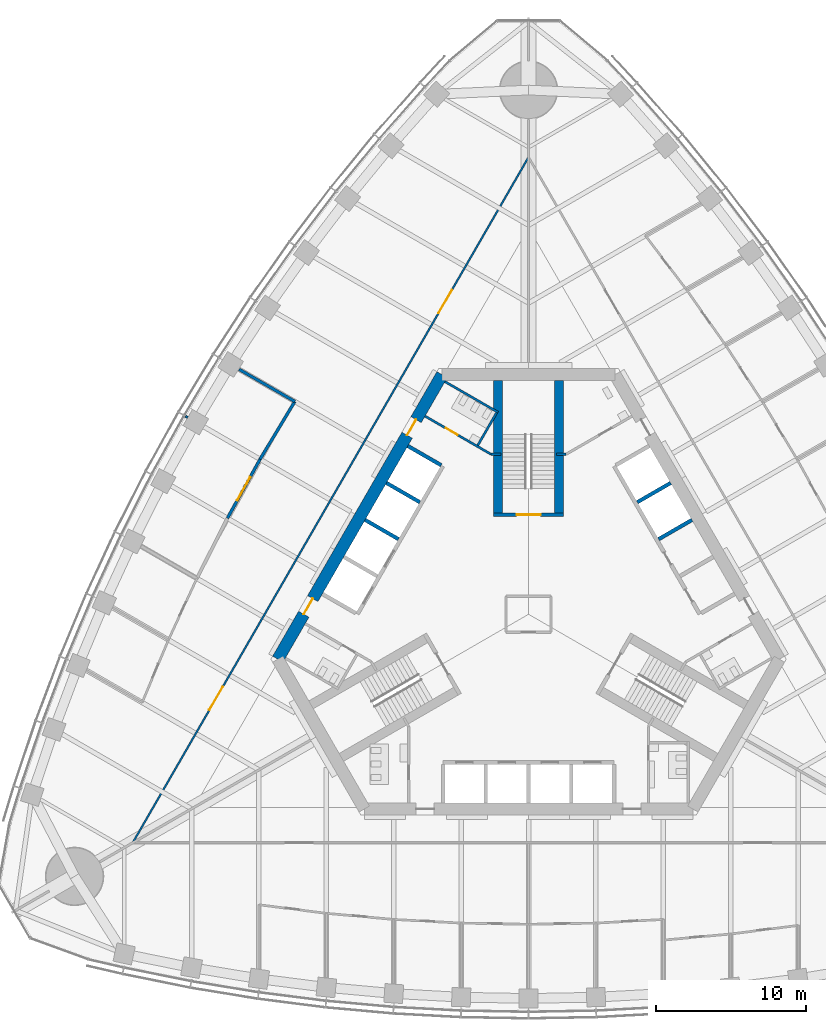
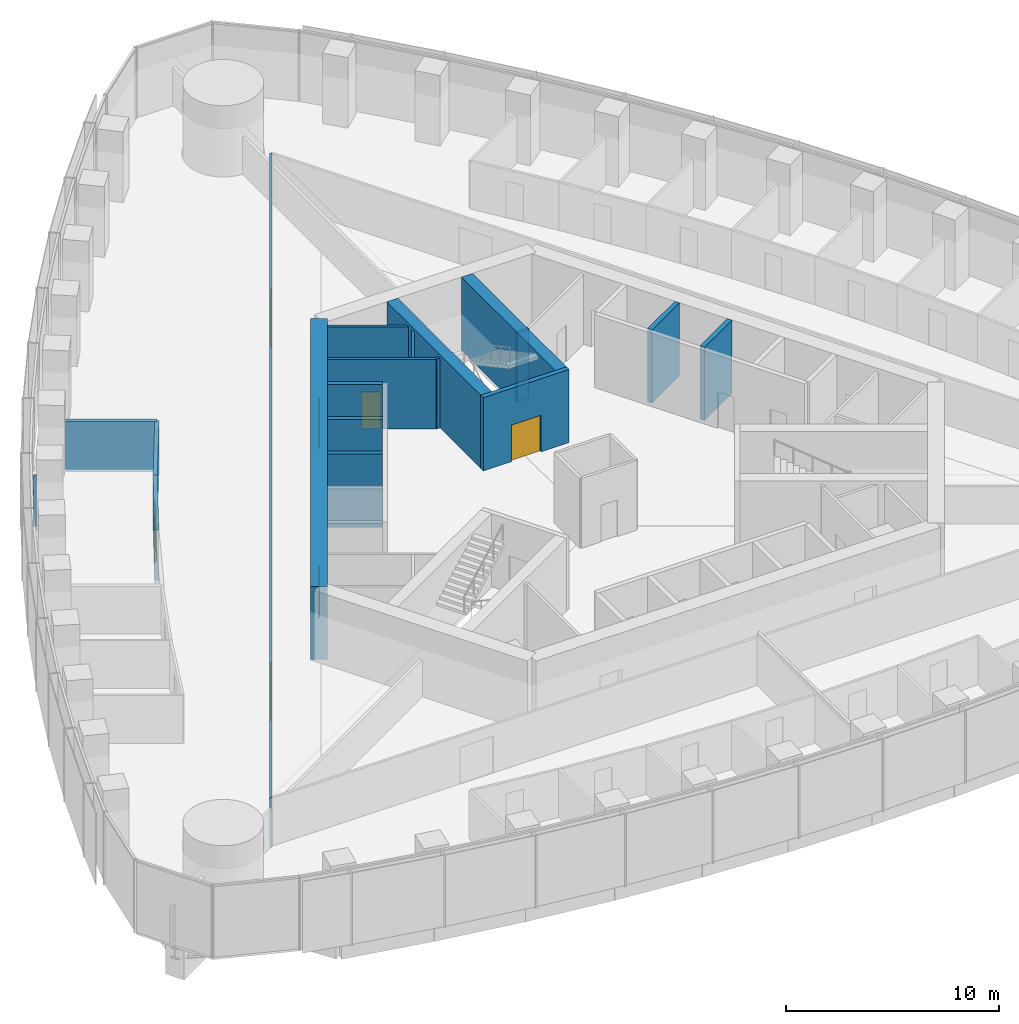
# One storey, part 14 of 21: 19 walls, 7 doors, 7 openings.
"""IFC4 building model written with IfcOpenShell, lengths in metres."""

from ifc_helpers import new_model, si_unit, direction, frame, frame_2d, origin, place, context, subcontext, project, spatial, rectangle, extrude, material, layer, layer_set, type_object, element, fill, save


model = new_model("IFC4")

# Units and contexts
model_context = context("Model", 3, precision=1e-05, world=origin(), true_north=direction((0.0, 1.0)))
body_context = subcontext(model_context, "Body", "Model", "MODEL_VIEW")
ifc_project = project(units=[si_unit("LENGTHUNIT", "METRE"), si_unit("AREAUNIT", "SQUARE_METRE"), si_unit("VOLUMEUNIT", "CUBIC_METRE"), si_unit("PLANEANGLEUNIT", "RADIAN"), si_unit("MASSUNIT", "GRAM", prefix="KILO")], contexts=[model_context])

# Site, building, storey
site_placement = place(None, origin())
site = spatial("IfcSite", under=ifc_project, at=site_placement, CompositionType="ELEMENT")
building_placement = place(site_placement, origin())
building = spatial("IfcBuilding", under=site, at=building_placement, Name="Trefoil Bronze Tower", CompositionType="ELEMENT")
storey_placement = place(building_placement, frame((0.0, 0.0, 149.300048828125)))
storey = spatial("IfcBuildingStorey", under=building, at=storey_placement, Name="L34", CompositionType="ELEMENT", Elevation=149.300048828125)

# Wall, opening, door
ifc_material_1 = material(Name="Gypsum board on steel studs", Category="steel")
ifc_layer_1 = layer(ifc_material_1, 0.199951171875)
ifc_layer_set_1 = layer_set([ifc_layer_1], Name="Acoustic partition 200")
wall_type_1 = type_object("IfcWallType", Name="Acoustic partition 200", PredefinedType="PARTITIONING", material=ifc_layer_set_1)
wall_1_placement = place(storey_placement, frame((-17.926513671875, 10.349853515625, 0.0), z_axis=(0.0, 0.0, 1.0), x_axis=(-0.484292898211, -0.874905931368, 0.0)))
wall_1 = element("IfcWall", 1, at=wall_1_placement, inside=storey, type_object=wall_type_1, Name="Partition F3 L34", PredefinedType="PARTITIONING", context=body_context, shape_type="SweptSolid", body=[
    extrude(rectangle(XDim=4.500732421875, YDim=0.199951171875, at=frame_2d((2.25048828125, 0.0))), origin(), (0.0, 0.0, 1.0), 2.89990234375),
])
opening_1_placement = place(wall_1_placement, frame((1.35009765625, 0.0, 0.14990234375)))
opening_1 = element("IfcOpeningElement", 2, at=opening_1_placement, cuts=wall_1, Name="Opening D10", PredefinedType="OPENING", context=body_context, shape_type="SweptSolid", body=[
    extrude(rectangle(XDim=1.800048828125, YDim=2.10009765625, at=frame_2d((0.89990234375, 1.050048828125))), frame((0.0, 0.10986328125, 0.0), z_axis=(0.0, -1.0, 0.0), x_axis=(1.0, 0.0, 0.0)), (0.0, 0.0, 1.0), 0.219970703125),
])
ifc_material_2 = material(Name="Timber door", Category="wood")
door_type_1 = type_object("IfcDoorType", Name="Double door 1800", OperationType="DOUBLE_DOOR_SINGLE_SWING", PredefinedType="DOOR", material=ifc_material_2)
door_1_placement = place(opening_1_placement, origin())
door_1 = element("IfcDoor", 3, at=door_1_placement, inside=storey, type_object=door_type_1, Name="Training room door F3 L34", OperationType="DOUBLE_DOOR_SINGLE_SWING", OverallHeight=2.10009765625, OverallWidth=1.800048828125, PredefinedType="DOOR", context=body_context, shape_type="SweptSolid", body=[
    extrude(rectangle(XDim=1.800048828125, YDim=2.10009765625, at=frame_2d((0.89990234375, 1.050048828125))), frame((0.0, 0.02490234375, 0.0), z_axis=(0.0, -1.0, 0.0), x_axis=(1.0, 0.0, 0.0)), (0.0, 0.0, 1.0), 0.050048828125),
])
fill(opening_1, door_1)

# Walls
wall_2_placement = place(storey_placement, frame((-15.606201171875, 14.206298828125, 0.0), z_axis=(0.0, 0.0, 1.0), x_axis=(-0.515548366618, -0.856860479703, 0.0)))
element("IfcWall", 4, at=wall_2_placement, inside=storey, type_object=wall_type_1, Name="Partition F3 L34", PredefinedType="PARTITIONING", context=body_context, shape_type="SweptSolid", body=[
    extrude(rectangle(XDim=4.500732421875, YDim=0.199951171875, at=frame_2d((2.25048828125, 0.0))), origin(), (0.0, 0.0, 1.0), 2.89990234375),
])
wall_3_placement = place(storey_placement, frame((-15.606201171875, 14.206298828125, 0.0), z_axis=(0.0, 0.0, 1.0), x_axis=(-0.866005690956, 0.500034142066, 0.0)))
element("IfcWall", 5, at=wall_3_placement, inside=storey, type_object=wall_type_1, Name="Partition F3 L34", PredefinedType="PARTITIONING", context=body_context, shape_type="SweptSolid", body=[
    extrude(rectangle(XDim=4.294189453125, YDim=0.199951171875, at=frame_2d((2.14697265625, 0.0))), origin(), (0.0, 0.0, 1.0), 2.89990234375),
])

# Wall, openings, doors
ifc_material_3 = material(Name="Concrete B80", Category="concrete")
ifc_layer_2 = layer(ifc_material_3, 0.800048828125)
ifc_layer_set_2 = layer_set([ifc_layer_2], Name="Core wall 800")
wall_type_2 = type_object("IfcWallType", Name="Core wall 800", PredefinedType="SHEAR", material=ifc_layer_set_2)
wall_4_placement = place(storey_placement, frame((-5.7734375, 16.0, 0.0), z_axis=(0.0, 0.0, 1.0), x_axis=(-0.500002442456, -0.866023993627, 0.0)))
wall_4 = element("IfcWall", 6, at=wall_4_placement, inside=storey, type_object=wall_type_2, Name="Core long wall 3 L34", PredefinedType="SHEAR", context=body_context, shape_type="SweptSolid", body=[
    extrude(rectangle(XDim=21.939453125, YDim=0.800048828125, at=frame_2d((10.9697265625, 0.0))), origin(), (0.0, 0.0, 1.0), 4.199951171875),
])
opening_2_placement = place(wall_4_placement, frame((17.269775390625, 0.0, 0.0)))
opening_2 = element("IfcOpeningElement", 7, at=opening_2_placement, cuts=wall_4, Name="Opening D2", PredefinedType="OPENING", context=body_context, shape_type="SweptSolid", body=[
    extrude(rectangle(XDim=1.199951171875, YDim=2.10009765625, at=frame_2d((0.60009765625, 1.050048828125))), frame((0.0, 0.409912109375, 0.0), z_axis=(0.0, -1.0, 0.0), x_axis=(1.0, 0.0, 0.0)), (0.0, 0.0, 1.0), 0.820068359375),
])
opening_3_placement = place(wall_4_placement, frame((3.4697265625, 0.0, 0.0)))
opening_3 = element("IfcOpeningElement", 8, at=opening_3_placement, cuts=wall_4, Name="Opening D2", PredefinedType="OPENING", context=body_context, shape_type="SweptSolid", body=[
    extrude(rectangle(XDim=1.199951171875, YDim=2.10009765625, at=frame_2d((0.60009765625, 1.050048828125))), frame((0.0, 0.409912109375, 0.0), z_axis=(0.0, -1.0, 0.0), x_axis=(1.0, 0.0, 0.0)), (0.0, 0.0, 1.0), 0.820068359375),
])
ifc_material_4 = material(Name="Steel door", Category="steel")
door_type_2 = type_object("IfcDoorType", Name="Lobby door 1200", OperationType="SINGLE_SWING_RIGHT", PredefinedType="DOOR", material=ifc_material_4)
door_2_placement = place(opening_2_placement, origin())
door_2 = element("IfcDoor", 9, at=door_2_placement, inside=storey, type_object=door_type_2, Name="Lobby door F3+ L34", OperationType="SINGLE_SWING_RIGHT", OverallHeight=2.10009765625, OverallWidth=1.199951171875, PredefinedType="DOOR", context=body_context, shape_type="SweptSolid", body=[
    extrude(rectangle(XDim=1.199951171875, YDim=2.10009765625, at=frame_2d((0.60009765625, 1.050048828125))), frame((0.0, 0.02490234375, 0.0), z_axis=(0.0, -1.0, 0.0), x_axis=(1.0, 0.0, 0.0)), (0.0, 0.0, 1.0), 0.050048828125),
])
fill(opening_2, door_2)
door_3_placement = place(opening_3_placement, origin())
door_3 = element("IfcDoor", 10, at=door_3_placement, inside=storey, type_object=door_type_2, Name="Lobby door F3- L34", OperationType="SINGLE_SWING_LEFT", OverallHeight=2.10009765625, OverallWidth=1.199951171875, PredefinedType="DOOR", context=body_context, shape_type="SweptSolid", body=[
    extrude(rectangle(XDim=1.199951171875, YDim=2.10009765625, at=frame_2d((0.60009765625, 1.050048828125))), frame((0.0, 0.02490234375, 0.0), z_axis=(0.0, -1.0, 0.0), x_axis=(1.0, 0.0, 0.0)), (0.0, 0.0, 1.0), 0.050048828125),
])
fill(opening_3, door_3)

ifc_material_5 = material(Name="Glazed partition", Category="glass")
ifc_layer_3 = layer(ifc_material_5, 0.1201171875)
ifc_layer_set_3 = layer_set([ifc_layer_3], Name="Glazed partition 120")
wall_type_3 = type_object("IfcWallType", Name="Glazed partition 120", PredefinedType="PARTITIONING", material=ifc_layer_set_3)
wall_5_placement = place(storey_placement, frame((-0.016357421875, 30.491455078125, 0.0), z_axis=(0.0, 0.0, 1.0), x_axis=(-0.50000091641, -0.866024874695, 0.0)))
wall_5 = element("IfcWall", 11, at=wall_5_placement, inside=storey, type_object=wall_type_3, Name="Partition F3 L34", PredefinedType="PARTITIONING", context=body_context, shape_type="SweptSolid", body=[
    extrude(rectangle(XDim=52.79638671875, YDim=0.1201171875, at=frame_2d((26.398193359375, 0.0))), origin(), (0.0, 0.0, 1.0), 2.89990234375),
])
opening_4_placement = place(wall_5_placement, frame((10.199951171875, 0.0, 0.14990234375)))
opening_4 = element("IfcOpeningElement", 12, at=opening_4_placement, cuts=wall_5, Name="Opening D10", PredefinedType="OPENING", context=body_context, shape_type="SweptSolid", body=[
    extrude(rectangle(XDim=1.800048828125, YDim=2.10009765625, at=frame_2d((0.89990234375, 1.050048828125))), frame((0.0, 0.070068359375, 0.0), z_axis=(0.0, -1.0, 0.0), x_axis=(1.0, 0.0, 0.0)), (0.0, 0.0, 1.0), 0.14013671875),
])
opening_5_placement = place(wall_5_placement, frame((40.800048828125, 0.0, 0.14990234375)))
opening_5 = element("IfcOpeningElement", 13, at=opening_5_placement, cuts=wall_5, Name="Opening D10", PredefinedType="OPENING", context=body_context, shape_type="SweptSolid", body=[
    extrude(rectangle(XDim=1.800048828125, YDim=2.10009765625, at=frame_2d((0.89990234375, 1.050048828125))), frame((0.0, 0.070068359375, 0.0), z_axis=(0.0, -1.0, 0.0), x_axis=(1.0, 0.0, 0.0)), (0.0, 0.0, 1.0), 0.14013671875),
])
door_4_placement = place(opening_4_placement, origin())
door_4 = element("IfcDoor", 14, at=door_4_placement, inside=storey, type_object=door_type_1, Name="Corridor door F3 L34", OperationType="DOUBLE_DOOR_SINGLE_SWING", OverallHeight=2.10009765625, OverallWidth=1.800048828125, PredefinedType="DOOR", context=body_context, shape_type="SweptSolid", body=[
    extrude(rectangle(XDim=1.800048828125, YDim=2.10009765625, at=frame_2d((0.89990234375, 1.050048828125))), frame((0.0, 0.02490234375, 0.0), z_axis=(0.0, -1.0, 0.0), x_axis=(1.0, 0.0, 0.0)), (0.0, 0.0, 1.0), 0.050048828125),
])
fill(opening_4, door_4)
door_5_placement = place(opening_5_placement, origin())
door_5 = element("IfcDoor", 15, at=door_5_placement, inside=storey, type_object=door_type_1, Name="Corridor door F3 L34", OperationType="DOUBLE_DOOR_SINGLE_SWING", OverallHeight=2.10009765625, OverallWidth=1.800048828125, PredefinedType="DOOR", context=body_context, shape_type="SweptSolid", body=[
    extrude(rectangle(XDim=1.800048828125, YDim=2.10009765625, at=frame_2d((0.89990234375, 1.050048828125))), frame((0.0, 0.02490234375, 0.0), z_axis=(0.0, -1.0, 0.0), x_axis=(1.0, 0.0, 0.0)), (0.0, 0.0, 1.0), 0.050048828125),
])
fill(opening_5, door_5)

# Wall, opening, door
ifc_material_6 = material(Name="Gypsum board on steel studs", Category="steel")
ifc_layer_4 = layer(ifc_material_6, 0.14990234375)
ifc_layer_set_4 = layer_set([ifc_layer_4], Name="Partition 150")
wall_type_4 = type_object("IfcWallType", Name="Partition 150", PredefinedType="PARTITIONING", material=ifc_layer_set_4)
wall_6_placement = place(storey_placement, frame((-2.4951171875, 10.67822265625, 0.0), z_axis=(0.0, 0.0, 1.0), x_axis=(-0.86602216432, 0.500005610874, 0.0)))
wall_6 = element("IfcWall", 16, at=wall_6_placement, inside=storey, type_object=wall_type_4, Name="Passage wall F3- L34", PredefinedType="PARTITIONING", context=body_context, shape_type="SweptSolid", body=[
    extrude(rectangle(XDim=5.10009765625, YDim=0.14990234375, at=frame_2d((2.550048828125, 0.0))), origin(), (0.0, 0.0, 1.0), 4.0),
])
opening_6_placement = place(wall_6_placement, frame((2.60009765625, 0.0, 0.0)))
opening_6 = element("IfcOpeningElement", 17, at=opening_6_placement, cuts=wall_6, Name="Opening D3", PredefinedType="OPENING", context=body_context, shape_type="SweptSolid", body=[
    extrude(rectangle(XDim=0.89990234375, YDim=2.10009765625, at=frame_2d((0.449951171875, 1.050048828125))), frame((0.0, 0.0849609375, 0.0), z_axis=(0.0, -1.0, 0.0), x_axis=(1.0, 0.0, 0.0)), (0.0, 0.0, 1.0), 0.169921875),
])
ifc_material_7 = material(Name="Timber door", Category="wood")
door_type_3 = type_object("IfcDoorType", Name="WC door 900", OperationType="SINGLE_SWING_LEFT", PredefinedType="DOOR", material=ifc_material_7)
door_6_placement = place(opening_6_placement, frame((0.89990234375, 0.0, 0.0), z_axis=(0.0, 0.0, 1.0), x_axis=(-1.0, 0.0, 0.0)))
door_6 = element("IfcDoor", 18, at=door_6_placement, inside=storey, type_object=door_type_3, Name="WC (women) door L34", OperationType="SINGLE_SWING_RIGHT", OverallHeight=2.10009765625, OverallWidth=0.89990234375, PredefinedType="DOOR", context=body_context, shape_type="SweptSolid", body=[
    extrude(rectangle(XDim=0.89990234375, YDim=2.10009765625, at=frame_2d((0.449951171875, 1.050048828125))), frame((0.0, 0.02490234375, 0.0), z_axis=(0.0, -1.0, 0.0), x_axis=(1.0, 0.0, 0.0)), (0.0, 0.0, 1.0), 0.050048828125),
])
fill(opening_6, door_6)

# Walls
for number, where, z_axis, x_axis, name in (
    (19, (2.4951171875, 10.67822265625, 0.0), (0.0, 0.0, 1.0), (-1.0, 0.0, 0.0), "WC wall ST2-1 L34"),
    (20, (-2.4951171875, 10.67822265625, 0.0), (0.0, 0.0, 1.0), (1.0, 0.0, 0.0), "WC wall ST2+1 L34"),
):
    element("IfcWall", number, at=place(storey_placement, frame(where, z_axis=z_axis, x_axis=x_axis)), inside=storey, type_object=wall_type_4, Name=name, PredefinedType="PARTITIONING", context=body_context, shape_type="SweptSolid", body=[
        extrude(rectangle(XDim=0.64501953125, YDim=0.14990234375, at=frame_2d((0.322509765625, 0.0))), origin(), (0.0, 0.0, 1.0), 4.0),
    ])
wall_7_placement = place(storey_placement, frame((-2.03125, 13.48193359375, 0.0), z_axis=(0.0, 0.0, 1.0), x_axis=(-0.866050731258, 0.499956128963, 0.0)))
element("IfcWall", 21, at=wall_7_placement, inside=storey, type_object=wall_type_4, Name="WC partition WC (women) L34", PredefinedType="PARTITIONING", context=body_context, shape_type="SweptSolid", body=[
    extrude(rectangle(XDim=4.099853515625, YDim=0.14990234375, at=frame_2d((2.0498046875, 0.0))), origin(), (0.0, 0.0, 1.0), 4.0),
])
wall_8_placement = place(storey_placement, frame((-3.388671875, 11.28076171875, 0.0), z_axis=(0.0, 0.0, 1.0), x_axis=(0.499989096993, 0.866031698547, 0.0)))
element("IfcWall", 22, at=wall_8_placement, inside=storey, type_object=wall_type_4, Name="WC partition WC (women) L34", PredefinedType="PARTITIONING", context=body_context, shape_type="SweptSolid", body=[
    extrude(rectangle(XDim=2.509765625, YDim=0.14990234375, at=frame_2d((1.2548828125, 0.0))), origin(), (0.0, 0.0, 1.0), 4.0),
])
wall_9_placement = place(storey_placement, frame((-22.758056640625, 13.139404296875, 0.0), z_axis=(0.0, 0.0, 1.0), x_axis=(-0.866063163075, 0.499934593286, 0.0)))
element("IfcWall", 23, at=wall_9_placement, inside=storey, type_object=wall_type_4, Name="Partition F3 L34", PredefinedType="PARTITIONING", context=body_context, shape_type="SweptSolid", body=[
    extrude(rectangle(XDim=0.166015625, YDim=0.14990234375, at=frame_2d((0.0830078125, 0.0))), origin(), (0.0, 0.0, 1.0), 2.89990234375),
])
ifc_material_8 = material(Name="Concrete B80", Category="concrete")
ifc_layer_5 = layer(ifc_material_8, 0.25)
ifc_layer_set_5 = layer_set([ifc_layer_5], Name="Shaft wall 250")
wall_type_5 = type_object("IfcWallType", Name="Shaft wall 250", PredefinedType="SHEAR", material=ifc_layer_set_5)
for number, where, z_axis, x_axis, name in (
    (24, (8.681884765625, 5.012451171875, 0.0), (0.0, 0.0, 1.0), (0.866005588531, 0.500034319456, 0.0), "Lift shaft side wall B2 L34"),
    (25, (7.2568359375, 7.480712890625, 0.0), (0.0, 0.0, 1.0), (0.866046643894, 0.499963209246, 0.0), "Lift shaft side wall B3 L34"),
):
    element("IfcWall", number, at=place(storey_placement, frame(where, z_axis=z_axis, x_axis=x_axis)), inside=storey, type_object=wall_type_5, Name=name, PredefinedType="SHEAR", context=body_context, shape_type="SweptSolid", body=[
        extrude(rectangle(XDim=2.574951171875, YDim=0.25, at=frame_2d((1.28759765625, 0.0))), origin(), (0.0, 0.0, 1.0), 4.199951171875),
    ])
wall_10_placement = place(storey_placement, frame((-5.831787109375, 9.94873046875, 0.0), z_axis=(0.0, 0.0, 1.0), x_axis=(-0.866029291668, 0.499993265928, 0.0)))
element("IfcWall", 26, at=wall_10_placement, inside=storey, type_object=wall_type_5, Name="Lift shaft side wall C0 L34", PredefinedType="SHEAR", context=body_context, shape_type="SweptSolid", body=[
    extrude(rectangle(XDim=2.5751953125, YDim=0.25, at=frame_2d((1.28759765625, 0.0))), origin(), (0.0, 0.0, 1.0), 4.199951171875),
])
for number, where, z_axis, x_axis, name in (
    (27, (-7.2568359375, 7.480712890625, 0.0), (0.0, 0.0, 1.0), (-0.866046643894, 0.499963209246, 0.0), "Lift shaft side wall C1 L34"),
    (28, (-8.681884765625, 5.012451171875, 0.0), (0.0, 0.0, 1.0), (-0.866005588531, 0.500034319456, 0.0), "Lift shaft side wall C2 L34"),
):
    element("IfcWall", number, at=place(storey_placement, frame(where, z_axis=z_axis, x_axis=x_axis)), inside=storey, type_object=wall_type_5, Name=name, PredefinedType="SHEAR", context=body_context, shape_type="SweptSolid", body=[
        extrude(rectangle(XDim=2.574951171875, YDim=0.25, at=frame_2d((1.28759765625, 0.0))), origin(), (0.0, 0.0, 1.0), 4.199951171875),
    ])

# Wall, opening, door
wall_11_placement = place(storey_placement, frame((2.324951171875, 6.64990234375, 0.0), z_axis=(0.0, 0.0, 1.0), x_axis=(-1.0, 0.0, 0.0)))
wall_11 = element("IfcWall", 29, at=wall_11_placement, inside=storey, type_object=wall_type_5, Name="Stair end wall ST2 L34", PredefinedType="SHEAR", context=body_context, shape_type="SweptSolid", body=[
    extrude(rectangle(XDim=4.64990234375, YDim=0.25, at=frame_2d((2.324951171875, 0.0))), origin(), (0.0, 0.0, 1.0), 4.199951171875),
])
opening_7_placement = place(wall_11_placement, frame((1.52490234375, 0.0, 0.0)))
opening_7 = element("IfcOpeningElement", 30, at=opening_7_placement, cuts=wall_11, Name="Opening D1", PredefinedType="OPENING", context=body_context, shape_type="SweptSolid", body=[
    extrude(rectangle(XDim=1.60009765625, YDim=2.10009765625, at=frame_2d((0.800048828125, 1.050048828125))), frame((0.0, 0.135009765625, 0.0), z_axis=(0.0, -1.0, 0.0), x_axis=(1.0, 0.0, 0.0)), (0.0, 0.0, 1.0), 0.27001953125),
])
ifc_material_9 = material(Name="Steel door", Category="steel")
door_type_4 = type_object("IfcDoorType", Name="Stair door 1600", OperationType="DOUBLE_DOOR_SINGLE_SWING", PredefinedType="DOOR", material=ifc_material_9)
door_7_placement = place(opening_7_placement, frame((1.60009765625, 0.0, 0.0), z_axis=(0.0, 0.0, 1.0), x_axis=(-1.0, 0.0, 0.0)))
door_7 = element("IfcDoor", 31, at=door_7_placement, inside=storey, type_object=door_type_4, Name="Stair door ST2 L34", OperationType="DOUBLE_DOOR_SINGLE_SWING", OverallHeight=2.10009765625, OverallWidth=1.60009765625, PredefinedType="DOOR", context=body_context, shape_type="SweptSolid", body=[
    extrude(rectangle(XDim=1.60009765625, YDim=2.10009765625, at=frame_2d((0.800048828125, 1.050048828125))), frame((0.0, 0.02490234375, 0.0), z_axis=(0.0, -1.0, 0.0), x_axis=(1.0, 0.0, 0.0)), (0.0, 0.0, 1.0), 0.050048828125),
])
fill(opening_7, door_7)

# Walls
ifc_material_10 = material(Name="Concrete B80", Category="concrete")
ifc_layer_6 = layer(ifc_material_10, 0.60009765625)
ifc_layer_set_6 = layer_set([ifc_layer_6], Name="Stair wall 600")
wall_type_6 = type_object("IfcWallType", Name="Stair wall 600", PredefinedType="SHEAR", material=ifc_layer_set_6)
for number, where, z_axis, x_axis, name in (
    (32, (2.02490234375, 6.52490234375, 0.0), (0.0, 0.0, 1.0), (0.0, 1.0, 0.0), "Stair wall ST2 L34"),
    (33, (-2.02490234375, 6.52490234375, 0.0), (0.0, 0.0, 1.0), (0.0, 1.0, 0.0), "Stair wall ST2 L34"),
):
    element("IfcWall", number, at=place(storey_placement, frame(where, z_axis=z_axis, x_axis=x_axis)), inside=storey, type_object=wall_type_6, Name=name, PredefinedType="SHEAR", context=body_context, shape_type="SweptSolid", body=[
        extrude(rectangle(XDim=9.0751953125, YDim=0.60009765625, at=frame_2d((4.53759765625, 0.0))), origin(), (0.0, 0.0, 1.0), 4.199951171875),
    ])

save(model, "model.ifc")
